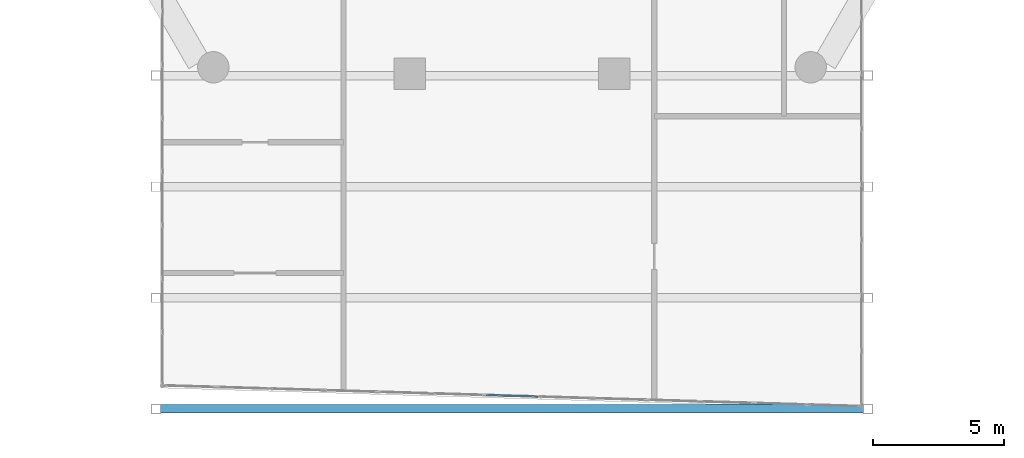
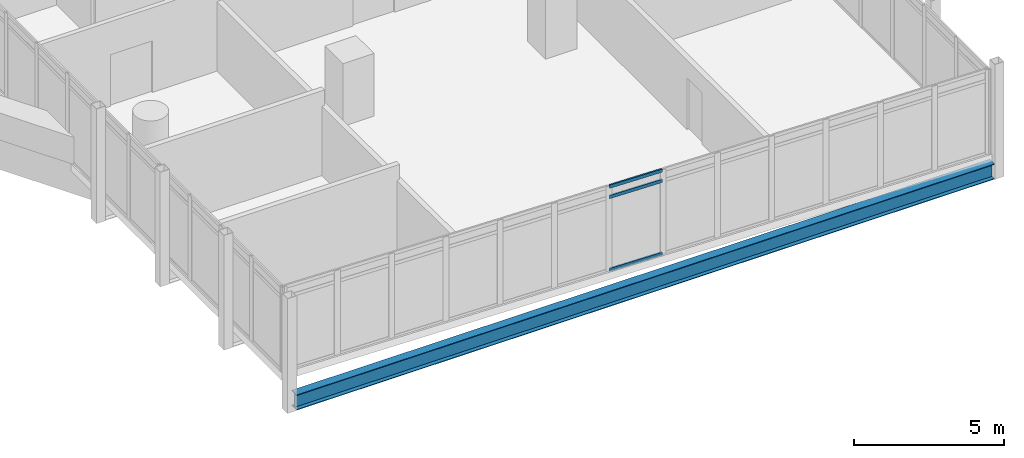
# One storey, part 4 of 28: 3 members, 1 beam, 1 element without a shape of its own.
"""IFC4 building model written with IfcOpenShell, lengths in metres."""

import ifcopenshell
import ifcopenshell.guid

model = None  # the IFC model being written
_history = None  # IfcOwnerHistory: only IFC2X3 demands one
_inside = {}  # id of a spatial element -> (the spatial element, [elements in it])
_under = {}  # id of a project, library or spatial element -> (it, [spatial elements below it])
_declared = {}  # id of a project -> (the project, [libraries it declares])
_typed = {}  # id of a type object -> (the type object, [elements of that type])
_made_of = {}  # id of a material, layer set ... -> (it, [elements and type objects made of it])


def new_model(schema):
    """Start an empty IFC model of exactly this schema.

    Asked for "IFC4X3", IfcOpenShell would pick the latest addendum, in which some entities
    have other attributes; the version numbers below select the first issue.
    IFC2X3 requires an IfcOwnerHistory on every rooted entity: one is made here for all.
    """
    global model, _history
    if schema == "IFC4X3":
        model = ifcopenshell.file(schema_version=(4, 3, 0, 0))
    else:
        model = ifcopenshell.file(schema=schema)
    _inside.clear()
    _under.clear()
    _declared.clear()
    _typed.clear()
    _made_of.clear()
    _history = None
    if model.schema == "IFC2X3":
        org = make("IfcOrganization", Name="unknown")
        user = make(
            "IfcPersonAndOrganization",
            ThePerson=make("IfcPerson", FamilyName="unknown"),
            TheOrganization=org,
        )
        app = make(
            "IfcApplication",
            ApplicationDeveloper=org,
            Version="unknown",
            ApplicationFullName="unknown",
            ApplicationIdentifier="unknown",
        )
        _history = make(
            "IfcOwnerHistory",
            OwningUser=user,
            OwningApplication=app,
            ChangeAction="ADDED",
            CreationDate=0,
        )
    return model


def make(cls, **values):
    """One entity of the class cls with the attributes given. An attribute that is None is left unset."""
    return model.create_entity(
        cls, **{name: value for name, value in values.items() if value is not None}
    )


def rooted(cls, **values):
    """An entity with a GlobalId (a new one), such as an element, a storey or a relation."""
    return make(cls, GlobalId=ifcopenshell.guid.new(), OwnerHistory=_history, **values)


def si_unit(unit_type, name, prefix=None):
    """IfcSIUnit, for example si_unit("LENGTHUNIT", "METRE", prefix="MILLI")."""
    return make("IfcSIUnit", UnitType=unit_type, Prefix=prefix, Name=name)


def assignment(units):
    """IfcUnitAssignment: the units of a project."""
    return None if units is None else make("IfcUnitAssignment", Units=units)


def point(xyz):
    """IfcCartesianPoint."""
    return None if xyz is None else make("IfcCartesianPoint", Coordinates=xyz)


def direction(xyz):
    """IfcDirection."""
    return None if xyz is None else make("IfcDirection", DirectionRatios=xyz)


def frame(location, z_axis=None, x_axis=None):
    """IfcAxis2Placement3D, a coordinate frame: its origin and axes. An axis left out is left unset."""
    return make(
        "IfcAxis2Placement3D",
        Location=point(location),
        Axis=direction(z_axis),
        RefDirection=direction(x_axis),
    )


def frame_2d(location, x_axis=None):
    """IfcAxis2Placement2D, a coordinate frame in the plane: its origin and x axis."""
    return make(
        "IfcAxis2Placement2D", Location=point(location), RefDirection=direction(x_axis)
    )


def origin():
    """The frame at (0, 0, 0) with its axes left unset."""
    return frame((0.0, 0.0, 0.0))


def origin_2d():
    """The frame at (0, 0) in the plane with its x axis left unset."""
    return frame_2d((0.0, 0.0))


def place(relative_to, where):
    """IfcLocalPlacement: puts the frame where relative to a parent placement (None: the world)."""
    return make(
        "IfcLocalPlacement", PlacementRelTo=relative_to, RelativePlacement=where
    )


def context(
    kind, dimensions, precision=None, world=None, true_north=None, identifier=None
):
    """IfcGeometricRepresentationContext, for example the 3D "Model" context."""
    return make(
        "IfcGeometricRepresentationContext",
        ContextIdentifier=identifier,
        ContextType=kind,
        CoordinateSpaceDimension=dimensions,
        Precision=precision,
        WorldCoordinateSystem=world,
        TrueNorth=true_north,
    )


def subcontext(parent, identifier, kind, view, scale=None):
    """IfcGeometricRepresentationSubContext, for example "Body" below "Model"."""
    return make(
        "IfcGeometricRepresentationSubContext",
        ContextIdentifier=identifier,
        ContextType=kind,
        ParentContext=parent,
        TargetScale=scale,
        TargetView=view,
    )


def project(units=None, contexts=None):
    """IfcProject with its units and contexts."""
    return rooted(
        "IfcProject",
        Name="project",
        RepresentationContexts=contexts,
        UnitsInContext=assignment(units),
    )


def spatial(cls, under=None, at=None, **own):
    """A site, building, storey or space (cls), placed at a placement, below another one or the project."""
    s = rooted(cls, ObjectPlacement=at, **own)
    if under is not None:
        _under.setdefault(under.id(), (under, []))[1].append(s)
    return s


def profile(cls, at=None, kind="AREA", **sizes):
    """A parametric profile (cls). Its sizes go by their IFC names, for example OverallWidth=200.0."""
    return make(cls, ProfileType=kind, Position=at, **sizes)


def hollow_rectangle(**sizes):
    """IfcRectangleHollowProfileDef."""
    return profile("IfcRectangleHollowProfileDef", **sizes)


def i_section(**sizes):
    """IfcIShapeProfileDef."""
    return profile("IfcIShapeProfileDef", **sizes)


def extrude(swept, where, along, depth):
    """IfcExtrudedAreaSolid: the profile swept, set in the frame where, extruded along a direction by depth."""
    return make(
        "IfcExtrudedAreaSolid",
        SweptArea=swept,
        Position=where,
        ExtrudedDirection=direction(along),
        Depth=depth,
    )


def shape(context_of_items, identifier, shape_type, items):
    """IfcShapeRepresentation: the items that make up one representation, for example the "Body"."""
    return make(
        "IfcShapeRepresentation",
        ContextOfItems=context_of_items,
        RepresentationIdentifier=identifier,
        RepresentationType=shape_type,
        Items=items,
    )


def material(Name=None, Category=None):
    """IfcMaterial."""
    return make("IfcMaterial", Name=Name, Category=Category)


def material_profile(
    of_material, cross_section, Name=None, Category=None, Priority=None
):
    """IfcMaterialProfile: a cross section and its material."""
    return make(
        "IfcMaterialProfile",
        Name=Name,
        Material=of_material,
        Profile=cross_section,
        Priority=Priority,
        Category=Category,
    )


def profile_set(profiles, Name=None, composite=None):
    """IfcMaterialProfileSet."""
    return make(
        "IfcMaterialProfileSet",
        Name=Name,
        MaterialProfiles=profiles,
        CompositeProfile=composite,
    )


def made_of(thing, what):
    """Note that an element or type object is made of a material, layer set ...; save() writes the relation."""
    if what is not None:
        _made_of.setdefault(what.id(), (what, []))[1].append(thing)
    return thing


def type_object(cls, material=None, **own):
    """A type object (cls), such as IfcWallType, which elements share."""
    return made_of(rooted(cls, **own), material)


def element(
    cls,
    number,
    at=None,
    inside=None,
    cuts=None,
    type_object=None,
    material=None,
    context=None,
    identifier="Body",
    shape_type=None,
    held_by="IfcProductDefinitionShape",
    body=None,
    shapes=None,
    **own,
):
    """One element of the class cls, such as IfcWall. Its Tag is "e" and its number.

    at: its placement. inside: the storey or other place that contains it. cuts: it is an
    opening in that element (IfcRelVoidsElement). A single representation is given by context,
    identifier, shape_type and body (its items); several are given by shapes. held_by: the class
    of the entity that holds the representations. save() writes the other relations.
    """
    e = rooted(cls, Tag="e%d" % number, ObjectPlacement=at, **own)
    if body is not None:
        shapes = [shape(context, identifier, shape_type, body)]
    if shapes is not None:
        e.Representation = make(held_by, Representations=shapes)
    if inside is not None:
        _inside.setdefault(inside.id(), (inside, []))[1].append(e)
    if cuts is not None:
        rooted(
            "IfcRelVoidsElement", RelatingBuildingElement=cuts, RelatedOpeningElement=e
        )
    if type_object is not None:
        _typed.setdefault(type_object.id(), (type_object, []))[1].append(e)
    return made_of(e, material)


def aggregate(whole, parts):
    """IfcRelAggregates: a whole, such as a stair, and the parts it consists of."""
    return rooted("IfcRelAggregates", RelatingObject=whole, RelatedObjects=parts)


def save(model, path):
    """Write the relations noted so far, then the file.

    IfcRelAggregates (storeys below a building ...), IfcRelContainedInSpatialStructure (elements
    in a storey), IfcRelDefinesByType, IfcRelAssociatesMaterial and IfcRelDeclares: one each for
    every whole, place, type object, material and project.
    """
    for whole, parts in _under.values():
        aggregate(whole, parts)
    for where, things in _inside.values():
        rooted(
            "IfcRelContainedInSpatialStructure",
            RelatedElements=things,
            RelatingStructure=where,
        )
    for kind, things in _typed.values():
        rooted("IfcRelDefinesByType", RelatedObjects=things, RelatingType=kind)
    for what, things in _made_of.values():
        rooted("IfcRelAssociatesMaterial", RelatedObjects=things, RelatingMaterial=what)
    for by, libraries in _declared.values():
        rooted("IfcRelDeclares", RelatingContext=by, RelatedDefinitions=libraries)
    model.write(path)


model = new_model("IFC4")

# Units and contexts
model_context = context("Model", 3, precision=1e-05, world=origin(), true_north=direction((0.0, 1.0)))
body_context = subcontext(model_context, "Body", "Model", "MODEL_VIEW")
ifc_project = project(units=[si_unit("LENGTHUNIT", "METRE"), si_unit("AREAUNIT", "SQUARE_METRE"), si_unit("VOLUMEUNIT", "CUBIC_METRE"), si_unit("PLANEANGLEUNIT", "RADIAN"), si_unit("MASSUNIT", "GRAM", prefix="KILO")], contexts=[model_context])

# Site, building, storey
site_placement = place(None, origin())
site = spatial("IfcSite", under=ifc_project, at=site_placement, CompositionType="ELEMENT")
building_placement = place(site_placement, origin())
building = spatial("IfcBuilding", under=site, at=building_placement, Name="Ostrander Bayou Hotel Tower", CompositionType="ELEMENT")
storey_placement = place(building_placement, frame((0.0, 0.0, 104.25)))
storey = spatial("IfcBuildingStorey", under=building, at=storey_placement, Name="L26", CompositionType="ELEMENT", Elevation=104.25)

# Curtain wall, members
ifc_material_1 = material(Name="Aluminium and clear glass", Category="aluminium")
curtain_wall_type = type_object("IfcCurtainWallType", Name="CW-BAR glazed wall", PredefinedType="NOTDEFINED", material=ifc_material_1)
curtain_wall_placement = place(storey_placement, origin())
curtain_wall = element("IfcCurtainWall", 1, at=curtain_wall_placement, inside=storey, type_object=curtain_wall_type, Name="CW-BAR L26:SB2S:T", PredefinedType="NOTDEFINED")
ifc_material_2 = material(Name="Aluminium", Category="aluminium")
ifc_material_profile_1 = material_profile(ifc_material_2, hollow_rectangle(XDim=0.06005859375, YDim=0.1298828125, WallThickness=0.00390625, at=origin_2d()))
ifc_profile_set_1 = profile_set([ifc_material_profile_1], Name="Aluminium")
member_type = type_object("IfcMemberType", Name="CW-BR transom 60 x 130 mm", PredefinedType="USERDEFINED", material=ifc_profile_set_1)
member_1_placement = place(storey_placement, frame((-0.998291015625, -31.67041015625, 0.030029296875), z_axis=(0.999558835181, -0.029700757758, 0.0), x_axis=(0.029700757758, 0.999558835181, 0.0)))
member_1 = element("IfcMember", 2, at=member_1_placement, type_object=member_type, Name="CW-BAR transom 7.1", ObjectType="TRANSOM", PredefinedType="USERDEFINED", context=body_context, shape_type="SweptSolid", body=[
    extrude(hollow_rectangle(XDim=0.06005859375, YDim=0.1298828125, WallThickness=0.00390625, at=origin_2d()), origin(), (0.0, 0.0, 1.0), 1.99755859375),
])
member_2_placement = place(storey_placement, frame((-0.998291015625, -31.67041015625, 3.0), z_axis=(0.999558835181, -0.029700757758, 0.0), x_axis=(0.029700757758, 0.999558835181, 0.0)))
member_2 = element("IfcMember", 3, at=member_2_placement, type_object=member_type, Name="CW-BAR transom 7.2", ObjectType="TRANSOM", PredefinedType="USERDEFINED", context=body_context, shape_type="SweptSolid", body=[
    extrude(hollow_rectangle(XDim=0.06005859375, YDim=0.1298828125, WallThickness=0.00390625, at=origin_2d()), origin(), (0.0, 0.0, 1.0), 1.99755859375),
])
member_3_placement = place(storey_placement, frame((-0.998291015625, -31.67041015625, 3.419921875), z_axis=(0.999558835181, -0.029700757758, 0.0), x_axis=(0.029700757758, 0.999558835181, 0.0)))
member_3 = element("IfcMember", 4, at=member_3_placement, type_object=member_type, Name="CW-BAR transom 7.3", ObjectType="TRANSOM", PredefinedType="USERDEFINED", context=body_context, shape_type="SweptSolid", body=[
    extrude(hollow_rectangle(XDim=0.06005859375, YDim=0.1298828125, WallThickness=0.00390625, at=origin_2d()), origin(), (0.0, 0.0, 1.0), 1.99755859375),
])
aggregate(curtain_wall, [member_1, member_2, member_3])

# Beam
ifc_material_3 = material(Name="Steel ASTM A992", Category="steel")
ifc_material_profile_2 = material_profile(ifc_material_3, i_section(OverallWidth=0.32763671875, OverallDepth=0.621826171875, WebThickness=0.015380859375, FlangeThickness=0.0244140625, at=origin_2d()))
ifc_profile_set_2 = profile_set([ifc_material_profile_2], Name="Steel ASTM A992")
beam_type = type_object("IfcBeamType", Name="TF1 bar floor beam W24x131", PredefinedType="BEAM", material=ifc_profile_set_2)
beam_placement = place(storey_placement, frame((-13.442138671875, -32.199951171875, -0.61083984375), z_axis=(1.0, 0.0, 0.0), x_axis=(0.0, 1.0, 0.0)))
element("IfcBeam", 5, at=beam_placement, inside=storey, type_object=beam_type, Name="TF1 SB2S L4-4", PredefinedType="BEAM", context=body_context, shape_type="SweptSolid", body=[
    extrude(i_section(OverallWidth=0.32763671875, OverallDepth=0.621826171875, WebThickness=0.015380859375, FlangeThickness=0.0244140625, at=origin_2d()), origin(), (0.0, 0.0, 1.0), 26.88427734375),
])

save(model, "model.ifc")
